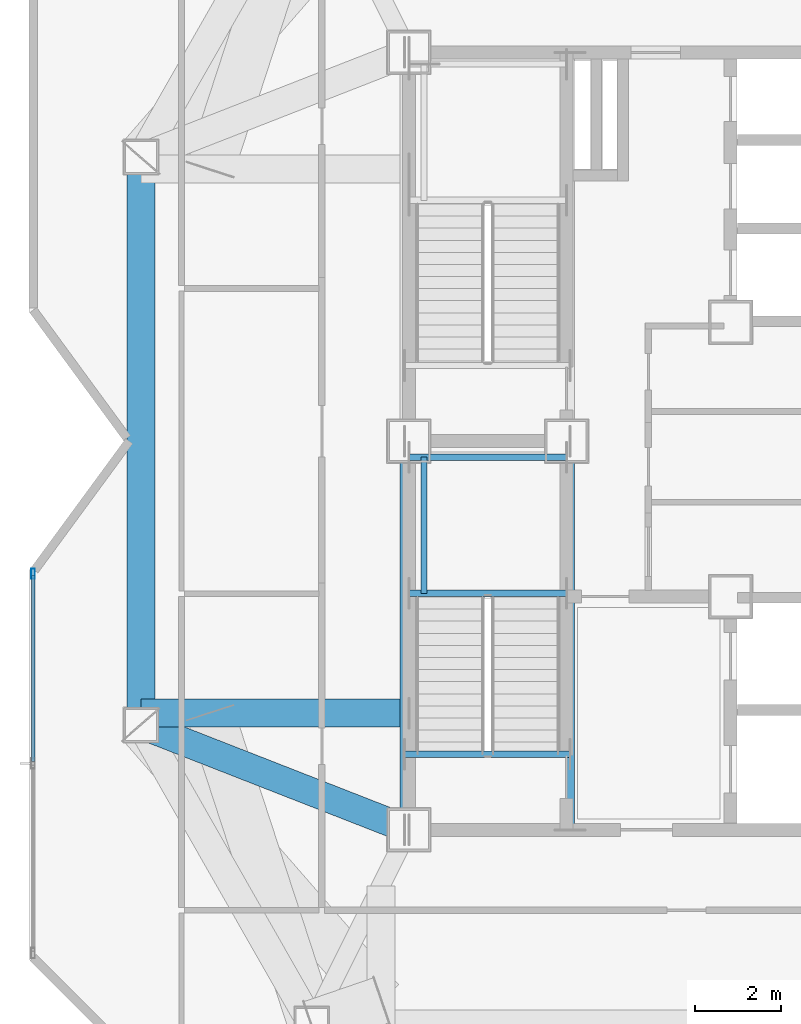
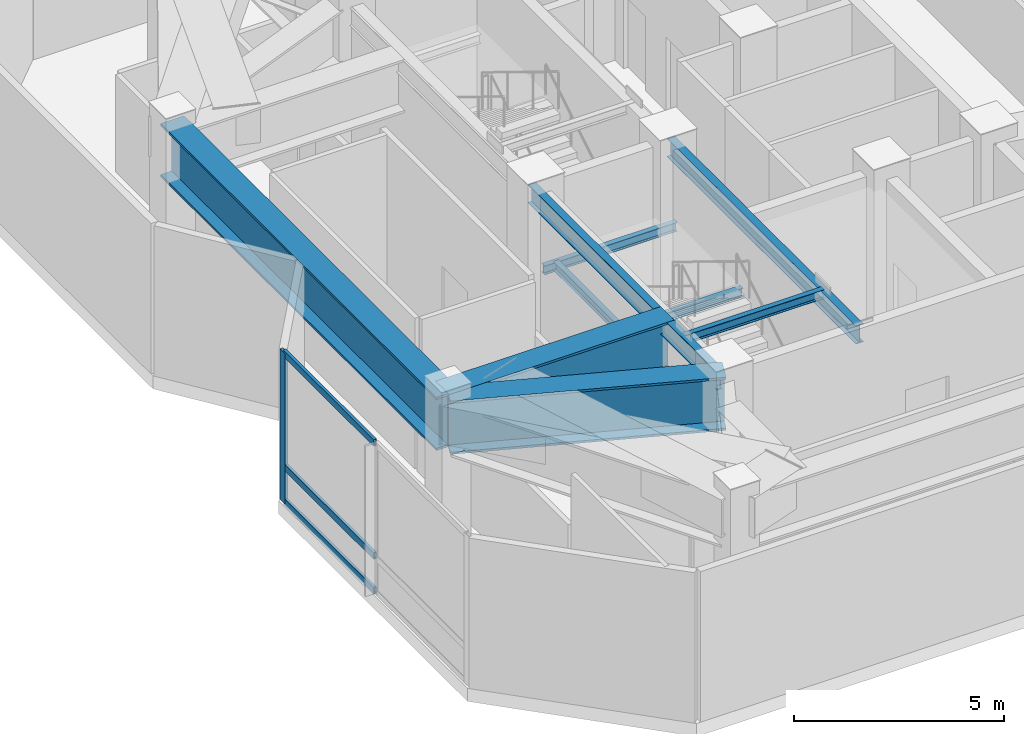
# One storey, part 3 of 11: 9 beams, 4 members, 1 element without a shape of its own.
"""IFC4 building model written with IfcOpenShell, lengths in metres."""

from ifc_helpers import new_model, si_unit, direction, frame, origin, origin_2d, place, context, subcontext, project, spatial, hollow_rectangle, i_section, extrude, material, material_profile, profile_set, type_object, element, aggregate, save


model = new_model("IFC4")

# Units and contexts
model_context = context("Model", 3, precision=1e-05, world=origin(), true_north=direction((0.0, 1.0)))
body_context = subcontext(model_context, "Body", "Model", "MODEL_VIEW")
ifc_project = project(units=[si_unit("LENGTHUNIT", "METRE"), si_unit("AREAUNIT", "SQUARE_METRE"), si_unit("VOLUMEUNIT", "CUBIC_METRE"), si_unit("PLANEANGLEUNIT", "RADIAN"), si_unit("MASSUNIT", "GRAM", prefix="KILO")], contexts=[model_context])

# Site, building, storey
site_placement = place(None, origin())
site = spatial("IfcSite", under=ifc_project, at=site_placement, CompositionType="ELEMENT")
building_placement = place(site_placement, origin())
building = spatial("IfcBuilding", under=site, at=building_placement, Name="Khamvora Tower", CompositionType="ELEMENT")
storey_placement = place(building_placement, frame((0.0, 0.0, 264.64990234375)))
storey = spatial("IfcBuildingStorey", under=building, at=storey_placement, Name="L68", CompositionType="ELEMENT", Elevation=264.64990234375)

# Beams
ifc_material_1 = material(Name="Steel S355", Category="steel")
ifc_material_profile_1 = material_profile(ifc_material_1, i_section(OverallWidth=0.14697265625, OverallDepth=0.261962890625, WebThickness=0.007080078125, FlangeThickness=0.010986328125, FilletRadius=0.008056640625, at=origin_2d()), Name="W250x39")
ifc_profile_set_1 = profile_set([ifc_material_profile_1], Name="Steel S355")
beam_type_1 = type_object("IfcBeamType", Name="BM-LN-W250x39", PredefinedType="LINTEL", material=ifc_profile_set_1)
for number, where, z_axis, x_axis, name in (
    (1, (29.0, 24.47509765625, 2.069091796875), (1.0, 0.0, 0.0), (0.0, 1.0, 0.0), "L68 ST-01 half-landing support beam 1.1"),
    (2, (29.0, 27.6298828125, 2.069091796875), (1.0, 0.0, 0.0), (0.0, 1.0, 0.0), "L68 ST-01 half-landing support beam 1.2"),
):
    element("IfcBeam", number, at=place(storey_placement, frame(where, z_axis=z_axis, x_axis=x_axis)), inside=storey, type_object=beam_type_1, Name=name, PredefinedType="LINTEL", context=body_context, shape_type="SweptSolid", body=[
        extrude(i_section(OverallWidth=0.14697265625, OverallDepth=0.261962890625, WebThickness=0.007080078125, FlangeThickness=0.010986328125, FilletRadius=0.008056640625, at=origin_2d()), origin(), (0.0, 0.0, 1.0), 3.64990234375),
    ])
beam_1_placement = place(storey_placement, frame((29.35009765625, 24.47509765625, 2.069091796875), z_axis=(0.0, 1.0, 0.0), x_axis=(-1.0, 0.0, 0.0)))
element("IfcBeam", 3, at=beam_1_placement, inside=storey, type_object=beam_type_1, Name="L68 ST-01 half-landing edge stringer 1", PredefinedType="LINTEL", context=body_context, shape_type="SweptSolid", body=[
    extrude(i_section(OverallWidth=0.14697265625, OverallDepth=0.261962890625, WebThickness=0.007080078125, FlangeThickness=0.010986328125, FilletRadius=0.008056640625, at=origin_2d()), origin(), (0.0, 0.0, 1.0), 3.15478515625),
])
beam_2_placement = place(storey_placement, frame((28.89990234375, 20.75, 4.254150390625), z_axis=(1.0, 0.0, 0.0), x_axis=(0.0, 1.0, 0.0)))
element("IfcBeam", 4, at=beam_2_placement, inside=storey, type_object=beam_type_1, Name="L68 exit stair ST-01 landing trimmer beam", PredefinedType="LINTEL", context=body_context, shape_type="SweptSolid", body=[
    extrude(i_section(OverallWidth=0.14697265625, OverallDepth=0.261962890625, WebThickness=0.007080078125, FlangeThickness=0.010986328125, FilletRadius=0.008056640625, at=origin_2d()), origin(), (0.0, 0.0, 1.0), 3.830078125),
])
ifc_material_profile_2 = material_profile(ifc_material_1, i_section(OverallWidth=0.208984375, OverallDepth=0.532958984375, WebThickness=0.010009765625, FlangeThickness=0.01611328125, FilletRadius=0.013916015625, at=origin_2d()), Name="W530x92")
ifc_profile_set_2 = profile_set([ifc_material_profile_2], Name="Steel S355")
beam_type_2 = type_object("IfcBeamType", Name="BM-SP-W530x92", PredefinedType="SPANDREL", material=ifc_profile_set_2)
for number, where, z_axis, x_axis, name in (
    (5, (28.89990234375, 19.0, 4.113037109375), (0.0, 1.0, 0.0), (-1.0, 0.0, 0.0), "L68 core spine girder WS"),
    (6, (32.72998046875, 19.0, 4.113037109375), (0.0, 1.0, 0.0), (-1.0, 0.0, 0.0), "L68 core spine girder M1S"),
):
    element("IfcBeam", number, at=place(storey_placement, frame(where, z_axis=z_axis, x_axis=x_axis)), inside=storey, type_object=beam_type_2, Name=name, PredefinedType="SPANDREL", context=body_context, shape_type="SweptSolid", body=[
        extrude(i_section(OverallWidth=0.208984375, OverallDepth=0.532958984375, WebThickness=0.010009765625, FlangeThickness=0.01611328125, FilletRadius=0.013916015625, at=origin_2d()), origin(), (0.0, 0.0, 1.0), 9.0),
    ])
ifc_material_2 = material(Name="Steel S460", Category="steel")
ifc_material_profile_3 = material_profile(ifc_material_2, i_section(OverallWidth=0.64990234375, OverallDepth=1.550048828125, WebThickness=0.0400390625, FlangeThickness=0.06494140625, at=origin_2d()), Name="PG1550x650x40x65")
ifc_profile_set_3 = profile_set([ifc_material_profile_3], Name="Steel S460")
beam_type_3 = type_object("IfcBeamType", Name="BM-TG-PG1800", PredefinedType="BEAM", material=ifc_profile_set_3)
beam_3_placement = place(storey_placement, frame((22.800048828125, 34.574951171875, 3.60498046875), z_axis=(0.0, -1.0, 0.0), x_axis=(1.0, 0.0, 0.0)))
element("IfcBeam", 7, at=beam_3_placement, inside=storey, type_object=beam_type_3, Name="L68 perimeter spandrel beam W2-W1", PredefinedType="BEAM", context=body_context, shape_type="SweptSolid", body=[
    extrude(i_section(OverallWidth=0.64990234375, OverallDepth=1.550048828125, WebThickness=0.0400390625, FlangeThickness=0.06494140625, at=origin_2d()), origin(), (0.0, 0.0, 1.0), 13.14990234375),
])
beam_4_placement = place(storey_placement, frame((29.0, 19.0, 3.60498046875), z_axis=(-0.931294712743, 0.36426660294, 0.0), x_axis=(-0.36426660294, -0.931294712743, 0.0)))
element("IfcBeam", 8, at=beam_4_placement, inside=storey, type_object=beam_type_3, Name="L68 primary floor girder W1", PredefinedType="BEAM", context=body_context, shape_type="SweptSolid", body=[
    extrude(i_section(OverallWidth=0.64990234375, OverallDepth=1.550048828125, WebThickness=0.0400390625, FlangeThickness=0.06494140625, at=origin_2d()), origin(), (0.0, 0.0, 1.0), 6.6572265625),
])
beam_5_placement = place(storey_placement, frame((22.800048828125, 21.699951171875, 3.60498046875), z_axis=(1.0, 0.0, 0.0), x_axis=(0.0, 1.0, 0.0)))
element("IfcBeam", 9, at=beam_5_placement, inside=storey, type_object=beam_type_3, Name="L68 setback frame transfer Box Girder W1", PredefinedType="BEAM", context=body_context, shape_type="SweptSolid", body=[
    extrude(i_section(OverallWidth=0.64990234375, OverallDepth=1.550048828125, WebThickness=0.0400390625, FlangeThickness=0.06494140625, at=origin_2d()), origin(), (0.0, 0.0, 1.0), 6.199951171875),
])

# Curtain wall, members
ifc_material_3 = material(Name="Anodised Aluminium 6063-T6", Category="aluminium")
curtain_wall_type = type_object("IfcCurtainWallType", Name="CW-SYS-06", PredefinedType="NOTDEFINED", material=ifc_material_3)
curtain_wall_placement = place(storey_placement, origin())
curtain_wall = element("IfcCurtainWall", 10, at=curtain_wall_placement, inside=storey, type_object=curtain_wall_type, Name="L68 stick curtain wall 02.1", PredefinedType="NOTDEFINED")
ifc_material_profile_4 = material_profile(ifc_material_3, hollow_rectangle(XDim=0.080078125, YDim=0.239990234375, WallThickness=0.0048828125, at=origin_2d()), Name="MUL80x240x5")
ifc_profile_set_4 = profile_set([ifc_material_profile_4], Name="Anodised Aluminium 6063-T6")
member_type_1 = type_object("IfcMemberType", Name="CW-SYS-06-MUL", PredefinedType="MULLION", material=ifc_profile_set_4)
member_1_placement = place(storey_placement, frame((20.300048828125, 24.927001953125, 0.0), z_axis=(0.0, 0.0, 1.0), x_axis=(-1.0, 0.0, 0.0)))
member_1 = element("IfcMember", 11, at=member_1_placement, type_object=member_type_1, Name="CW-06 mullion 3", PredefinedType="MULLION", context=body_context, shape_type="SweptSolid", body=[
    extrude(hollow_rectangle(XDim=0.080078125, YDim=0.239990234375, WallThickness=0.0048828125, at=origin_2d()), origin(), (0.0, 0.0, 1.0), 4.380126953125),
])
ifc_material_profile_5 = material_profile(ifc_material_3, hollow_rectangle(XDim=0.080078125, YDim=0.195068359375, WallThickness=0.0048828125, at=origin_2d()), Name="TRN80x195x5")
ifc_profile_set_5 = profile_set([ifc_material_profile_5], Name="Anodised Aluminium 6063-T6")
member_type_2 = type_object("IfcMemberType", Name="CW-SYS-06-TRN", PredefinedType="USERDEFINED", material=ifc_profile_set_5)
member_2_placement = place(storey_placement, frame((20.300048828125, 20.575439453125, 0.0400390625), z_axis=(0.0, 1.0, 0.0), x_axis=(-1.0, 0.0, 0.0)))
member_2 = element("IfcMember", 12, at=member_2_placement, type_object=member_type_2, Name="CW-06 transom 2.1", ObjectType="TRANSOM", PredefinedType="USERDEFINED", context=body_context, shape_type="SweptSolid", body=[
    extrude(hollow_rectangle(XDim=0.080078125, YDim=0.195068359375, WallThickness=0.0048828125, at=origin_2d()), origin(), (0.0, 0.0, 1.0), 4.3115234375),
])
member_3_placement = place(storey_placement, frame((20.300048828125, 20.575439453125, 1.050048828125), z_axis=(0.0, 1.0, 0.0), x_axis=(-1.0, 0.0, 0.0)))
member_3 = element("IfcMember", 13, at=member_3_placement, type_object=member_type_2, Name="CW-06 transom 2.2", ObjectType="TRANSOM", PredefinedType="USERDEFINED", context=body_context, shape_type="SweptSolid", body=[
    extrude(hollow_rectangle(XDim=0.080078125, YDim=0.195068359375, WallThickness=0.0048828125, at=origin_2d()), origin(), (0.0, 0.0, 1.0), 4.3115234375),
])
member_4_placement = place(storey_placement, frame((20.300048828125, 20.575439453125, 4.340087890625), z_axis=(0.0, 1.0, 0.0), x_axis=(-1.0, 0.0, 0.0)))
member_4 = element("IfcMember", 14, at=member_4_placement, type_object=member_type_2, Name="CW-06 transom 2.3", ObjectType="TRANSOM", PredefinedType="USERDEFINED", context=body_context, shape_type="SweptSolid", body=[
    extrude(hollow_rectangle(XDim=0.080078125, YDim=0.195068359375, WallThickness=0.0048828125, at=origin_2d()), origin(), (0.0, 0.0, 1.0), 4.3115234375),
])
aggregate(curtain_wall, [member_1, member_2, member_3, member_4])

save(model, "model.ifc")
